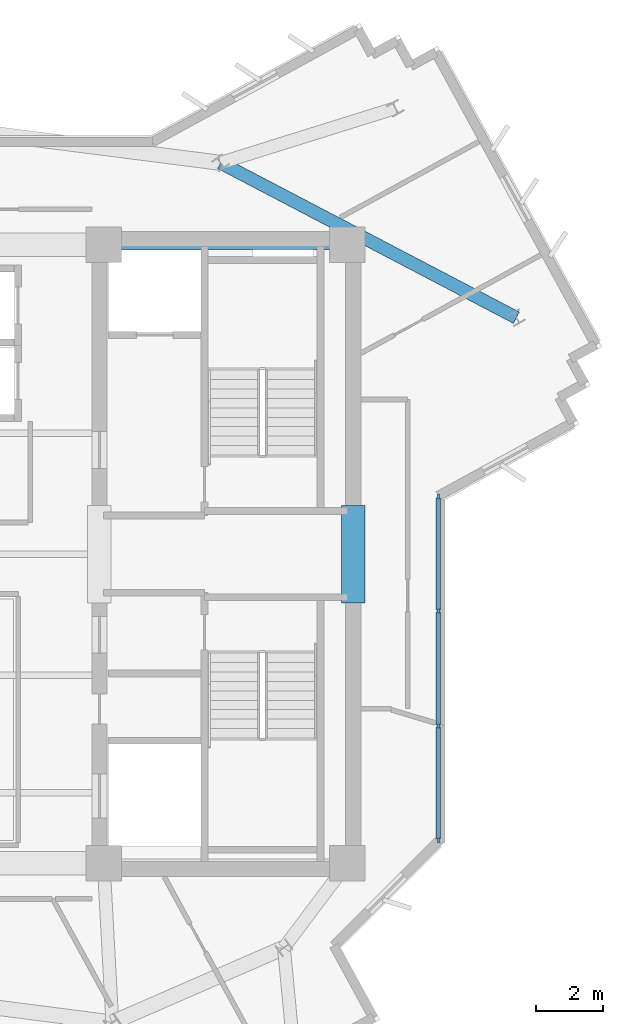
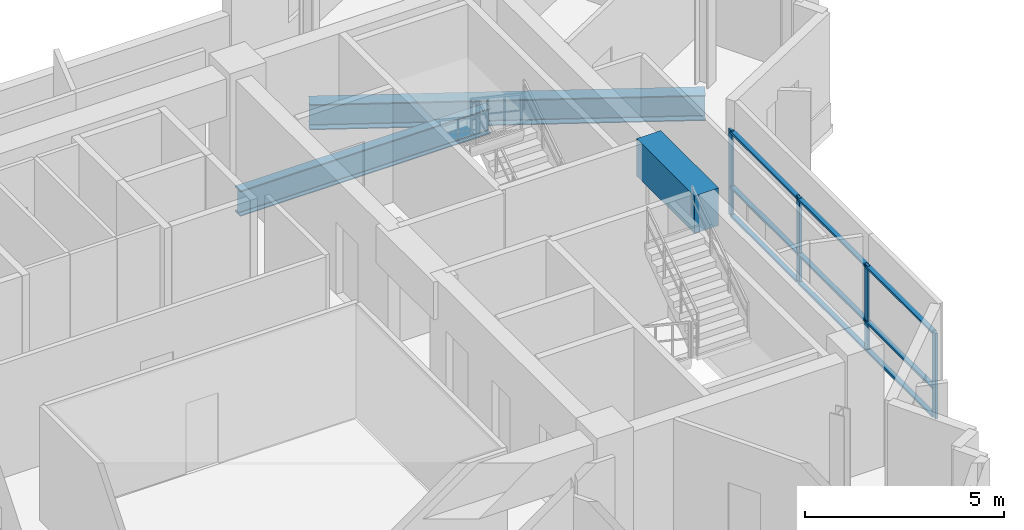
# One storey, part 3 of 13: 13 members, 3 beams, 1 element without a shape of its own.
"""IFC4 building model written with IfcOpenShell, lengths in metres."""

from ifc_helpers import new_model, si_unit, direction, frame, origin, origin_2d, place, context, subcontext, project, spatial, rectangle, i_section, extrude, source, transform, mapped, material, layer, layer_set, material_profile, profile_set, type_object, element, aggregate, save


model = new_model("IFC4")

# Units and contexts
model_context = context("Model", 3, precision=1e-05, world=origin(), true_north=direction((0.0, 1.0)))
body_context = subcontext(model_context, "Body", "Model", "MODEL_VIEW")
ifc_project = project(units=[si_unit("LENGTHUNIT", "METRE"), si_unit("AREAUNIT", "SQUARE_METRE"), si_unit("VOLUMEUNIT", "CUBIC_METRE"), si_unit("PLANEANGLEUNIT", "RADIAN"), si_unit("MASSUNIT", "GRAM", prefix="KILO")], contexts=[model_context])

# Site, building, storey
site_placement = place(None, origin())
site = spatial("IfcSite", under=ifc_project, at=site_placement, CompositionType="ELEMENT")
building_placement = place(site_placement, origin())
building = spatial("IfcBuilding", under=site, at=building_placement, Name="Zahravan Cultural Tower", CompositionType="ELEMENT")
storey_placement = place(building_placement, frame((0.0, 0.0, 250.35009765625)))
storey = spatial("IfcBuildingStorey", under=building, at=storey_placement, Name="L59", CompositionType="ELEMENT", Elevation=250.35009765625)

# Beams
ifc_material_1 = material(Name="Concrete C50/60", Category="concrete")
ifc_material_profile_1 = material_profile(ifc_material_1, rectangle(XDim=0.699951171875, YDim=1.14990234375, at=origin_2d()), Name="RC700X1150")
ifc_profile_set_1 = profile_set([ifc_material_profile_1], Name="Concrete C50/60")
beam_type_1 = type_object("IfcBeamType", Name="BM-LN-RC700X1150", PredefinedType="LINTEL", material=ifc_profile_set_1)
shared_shape_1 = source(origin(), body_context, "Body", "SweptSolid", [
    extrude(rectangle(XDim=0.699951171875, YDim=1.14990234375, at=origin_2d()), origin(), (0.0, 0.0, 1.0), 2.89990234375),
])
beam_1_placement = place(storey_placement, frame((50.52490234375, 25.550048828125, 2.9248046875), z_axis=(0.0, 1.0, 0.0), x_axis=(-1.0, 0.0, 0.0)))
element("IfcBeam", 1, at=beam_1_placement, inside=storey, type_object=beam_type_1, Name="L59 Beam LN-L59-PEE", PredefinedType="LINTEL", context=body_context, shape_type="MappedRepresentation", body=[
    mapped(shared_shape_1, transform((0.0, 0.0, 0.0), x_axis=(1.0, 0.0, 0.0), y_axis=(0.0, 1.0, 0.0), z_axis=(0.0, 0.0, 1.0), scale=1.0)),
])
ifc_material_2 = material(Name="Steel ASTM A992 Grade 50", Category="steel")
ifc_material_profile_2 = material_profile(ifc_material_2, i_section(OverallWidth=0.26611328125, OverallDepth=0.780029296875, WebThickness=0.0166015625, FlangeThickness=0.030029296875, FilletRadius=0.01904296875, at=origin_2d()), Name="W30X148")
ifc_profile_set_2 = profile_set([ifc_material_profile_2], Name="Steel ASTM A992 Grade 50")
beam_type_2 = type_object("IfcBeamType", Name="BM-G-W30X148", PredefinedType="BEAM", material=ifc_profile_set_2)
shared_shape_2 = source(origin(), body_context, "Body", "SweptSolid", [
    extrude(i_section(OverallWidth=0.26611328125, OverallDepth=0.780029296875, WebThickness=0.0166015625, FlangeThickness=0.030029296875, FilletRadius=0.01904296875, at=origin_2d()), origin(), (0.0, 0.0, 1.0), 7.25),
])
beam_2_placement = place(storey_placement, frame((43.10009765625, 36.199951171875, -0.64013671875), z_axis=(1.0, 0.0, 0.0), x_axis=(0.0, 1.0, 0.0)))
element("IfcBeam", 2, at=beam_2_placement, inside=storey, type_object=beam_type_2, Name="L59 Beam BG-L59-05", PredefinedType="BEAM", context=body_context, shape_type="MappedRepresentation", body=[
    mapped(shared_shape_2, transform((0.0, 0.0, 0.0), x_axis=(1.0, 0.0, 0.0), y_axis=(0.0, 1.0, 0.0), z_axis=(0.0, 0.0, 1.0), scale=1.0)),
])
ifc_material_profile_3 = material_profile(ifc_material_2, i_section(OverallWidth=0.382080078125, OverallDepth=0.779052734375, WebThickness=0.01806640625, FlangeThickness=0.030029296875, FilletRadius=0.01904296875, at=origin_2d()), Name="W30X191")
ifc_profile_set_3 = profile_set([ifc_material_profile_3], Name="Steel ASTM A992 Grade 50")
beam_type_3 = type_object("IfcBeamType", Name="BM-G-W30X191", PredefinedType="BEAM", material=ifc_profile_set_3)
shared_shape_3 = source(origin(), body_context, "Body", "SweptSolid", [
    extrude(i_section(OverallWidth=0.382080078125, OverallDepth=0.779052734375, WebThickness=0.01806640625, FlangeThickness=0.030029296875, FilletRadius=0.01904296875, at=origin_2d()), origin(), (0.0, 0.0, 1.0), 9.935791015625),
])
beam_3_placement = place(storey_placement, frame((46.577880859375, 38.640625, -0.6396484375), z_axis=(0.885932031042, -0.463815088558, 0.0), x_axis=(0.463815088558, 0.885932031042, 0.0)))
element("IfcBeam", 3, at=beam_3_placement, inside=storey, type_object=beam_type_3, Name="L59 Beam BG-L59-12", PredefinedType="BEAM", context=body_context, shape_type="MappedRepresentation", body=[
    mapped(shared_shape_3, transform((0.0, 0.0, 0.0), x_axis=(1.0, 0.0, 0.0), y_axis=(0.0, 1.0, 0.0), z_axis=(0.0, 0.0, 1.0), scale=1.0)),
])

# Curtain wall, members
ifc_material_3 = material(Name="Anodised bronze-aluminium mullion", Category="aluminium")
ifc_layer = layer(ifc_material_3, 0.1650390625)
ifc_layer_set = layer_set([ifc_layer], Name="Anodised bronze-aluminium mullion")
curtain_wall_type = type_object("IfcCurtainWallType", Name="CW-SYS-4", PredefinedType="USERDEFINED", material=ifc_layer_set)
curtain_wall_placement = place(storey_placement, origin())
curtain_wall = element("IfcCurtainWall", 4, at=curtain_wall_placement, inside=storey, type_object=curtain_wall_type, Name="L59 Recessed Curtain Wall CW-4.1", ObjectType="RECESSED GLAZING", PredefinedType="USERDEFINED")
ifc_material_profile_4 = material_profile(ifc_material_3, rectangle(XDim=0.06494140625, YDim=0.1650390625, at=origin_2d()), Name="AL-M65X165")
ifc_profile_set_4 = profile_set([ifc_material_profile_4], Name="Anodised bronze-aluminium mullion")
member_type_1 = type_object("IfcMemberType", Name="CWM-CW-4", PredefinedType="MULLION", material=ifc_profile_set_4)
shared_shape_4 = source(origin(), body_context, "Body", "SweptSolid", [
    extrude(rectangle(XDim=0.06494140625, YDim=0.1650390625, at=origin_2d()), origin(), (0.0, 0.0, 1.0), 2.619873046875),
])
member_1_placement = place(storey_placement, frame((53.06005859375, 28.698974609375, 0.0), z_axis=(0.0, 0.0, 1.0), x_axis=(1.0, 0.0, 0.0)))
member_1 = element("IfcMember", 5, at=member_1_placement, type_object=member_type_1, Name="CW-4 mullion 1", PredefinedType="MULLION", context=body_context, shape_type="MappedRepresentation", body=[
    mapped(shared_shape_4, transform((0.0, 0.0, 0.0), x_axis=(1.0, 0.0, 0.0), y_axis=(0.0, 1.0, 0.0), z_axis=(0.0, 0.0, 1.0), scale=1.0)),
])
member_2_placement = place(storey_placement, frame((53.06005859375, 25.306884765625, 0.0), z_axis=(0.0, 0.0, 1.0), x_axis=(1.0, 0.0, 0.0)))
member_2 = element("IfcMember", 6, at=member_2_placement, type_object=member_type_1, Name="CW-4 mullion 2", PredefinedType="MULLION", context=body_context, shape_type="MappedRepresentation", body=[
    mapped(shared_shape_4, transform((0.0, 0.0, 0.0), x_axis=(1.0, 0.0, 0.0), y_axis=(0.0, 1.0, 0.0), z_axis=(0.0, 0.0, 1.0), scale=1.0)),
])
member_3_placement = place(storey_placement, frame((53.06005859375, 21.882568359375, 0.0), z_axis=(0.0, 0.0, 1.0), x_axis=(1.0, 0.0, 0.0)))
member_3 = element("IfcMember", 7, at=member_3_placement, type_object=member_type_1, Name="CW-4 mullion 3", PredefinedType="MULLION", context=body_context, shape_type="MappedRepresentation", body=[
    mapped(shared_shape_4, transform((0.0, 0.0, 0.0), x_axis=(1.0, 0.0, 0.0), y_axis=(0.0, 1.0, 0.0), z_axis=(0.0, 0.0, 1.0), scale=1.0)),
])
member_4_placement = place(storey_placement, frame((53.06005859375, 18.490478515625, 0.0), z_axis=(0.0, 0.0, 1.0), x_axis=(1.0, 0.0, 0.0)))
member_4 = element("IfcMember", 8, at=member_4_placement, type_object=member_type_1, Name="CW-4 mullion 4", PredefinedType="MULLION", context=body_context, shape_type="MappedRepresentation", body=[
    mapped(shared_shape_4, transform((0.0, 0.0, 0.0), x_axis=(1.0, 0.0, 0.0), y_axis=(0.0, 1.0, 0.0), z_axis=(0.0, 0.0, 1.0), scale=1.0)),
])
ifc_material_profile_5 = material_profile(ifc_material_3, rectangle(XDim=0.1298828125, YDim=0.06494140625, at=origin_2d()), Name="AL-T65X130")
ifc_profile_set_5 = profile_set([ifc_material_profile_5], Name="Anodised bronze-aluminium mullion")
member_type_2 = type_object("IfcMemberType", Name="CWT-CW-4", PredefinedType="USERDEFINED", material=ifc_profile_set_5)
shared_shape_5 = source(origin(), body_context, "Body", "SweptSolid", [
    extrude(rectangle(XDim=0.1298828125, YDim=0.06494140625, at=origin_2d()), origin(), (0.0, 0.0, 1.0), 3.326904296875),
])
member_5_placement = place(storey_placement, frame((53.06005859375, 28.66650390625, 0.032470703125), z_axis=(0.0, -1.0, 0.0), x_axis=(1.0, 0.0, 0.0)))
member_5 = element("IfcMember", 9, at=member_5_placement, type_object=member_type_2, Name="CW-4 transom 1.1", ObjectType="TRANSOM", PredefinedType="USERDEFINED", context=body_context, shape_type="MappedRepresentation", body=[
    mapped(shared_shape_5, transform((0.0, 0.0, 0.0), x_axis=(1.0, 0.0, 0.0), y_axis=(0.0, 1.0, 0.0), z_axis=(0.0, 0.0, 1.0), scale=1.0)),
])
member_6_placement = place(storey_placement, frame((53.06005859375, 28.66650390625, 0.89990234375), z_axis=(0.0, -1.0, 0.0), x_axis=(1.0, 0.0, 0.0)))
member_6 = element("IfcMember", 10, at=member_6_placement, type_object=member_type_2, Name="CW-4 transom 1.2", ObjectType="TRANSOM", PredefinedType="USERDEFINED", context=body_context, shape_type="MappedRepresentation", body=[
    mapped(shared_shape_5, transform((0.0, 0.0, 0.0), x_axis=(1.0, 0.0, 0.0), y_axis=(0.0, 1.0, 0.0), z_axis=(0.0, 0.0, 1.0), scale=1.0)),
])
member_7_placement = place(storey_placement, frame((53.06005859375, 28.66650390625, 2.58740234375), z_axis=(0.0, -1.0, 0.0), x_axis=(1.0, 0.0, 0.0)))
member_7 = element("IfcMember", 11, at=member_7_placement, type_object=member_type_2, Name="CW-4 transom 1.3", ObjectType="TRANSOM", PredefinedType="USERDEFINED", context=body_context, shape_type="MappedRepresentation", body=[
    mapped(shared_shape_5, transform((0.0, 0.0, 0.0), x_axis=(1.0, 0.0, 0.0), y_axis=(0.0, 1.0, 0.0), z_axis=(0.0, 0.0, 1.0), scale=1.0)),
])
shared_shape_6 = source(origin(), body_context, "Body", "SweptSolid", [
    extrude(rectangle(XDim=0.1298828125, YDim=0.06494140625, at=origin_2d()), origin(), (0.0, 0.0, 1.0), 3.359375),
])
member_8_placement = place(storey_placement, frame((53.06005859375, 25.2744140625, 0.032470703125), z_axis=(0.0, -1.0, 0.0), x_axis=(1.0, 0.0, 0.0)))
member_8 = element("IfcMember", 12, at=member_8_placement, type_object=member_type_2, Name="CW-4 transom 2.1", ObjectType="TRANSOM", PredefinedType="USERDEFINED", context=body_context, shape_type="MappedRepresentation", body=[
    mapped(shared_shape_6, transform((0.0, 0.0, 0.0), x_axis=(1.0, 0.0, 0.0), y_axis=(0.0, 1.0, 0.0), z_axis=(0.0, 0.0, 1.0), scale=1.0)),
])
member_9_placement = place(storey_placement, frame((53.06005859375, 25.2744140625, 0.89990234375), z_axis=(0.0, -1.0, 0.0), x_axis=(1.0, 0.0, 0.0)))
member_9 = element("IfcMember", 13, at=member_9_placement, type_object=member_type_2, Name="CW-4 transom 2.2", ObjectType="TRANSOM", PredefinedType="USERDEFINED", context=body_context, shape_type="MappedRepresentation", body=[
    mapped(shared_shape_6, transform((0.0, 0.0, 0.0), x_axis=(1.0, 0.0, 0.0), y_axis=(0.0, 1.0, 0.0), z_axis=(0.0, 0.0, 1.0), scale=1.0)),
])
member_10_placement = place(storey_placement, frame((53.06005859375, 25.2744140625, 2.58740234375), z_axis=(0.0, -1.0, 0.0), x_axis=(1.0, 0.0, 0.0)))
member_10 = element("IfcMember", 14, at=member_10_placement, type_object=member_type_2, Name="CW-4 transom 2.3", ObjectType="TRANSOM", PredefinedType="USERDEFINED", context=body_context, shape_type="MappedRepresentation", body=[
    mapped(shared_shape_6, transform((0.0, 0.0, 0.0), x_axis=(1.0, 0.0, 0.0), y_axis=(0.0, 1.0, 0.0), z_axis=(0.0, 0.0, 1.0), scale=1.0)),
])
shared_shape_7 = source(origin(), body_context, "Body", "SweptSolid", [
    extrude(rectangle(XDim=0.1298828125, YDim=0.06494140625, at=origin_2d()), origin(), (0.0, 0.0, 1.0), 3.3271484375),
])
member_11_placement = place(storey_placement, frame((53.06005859375, 21.85009765625, 0.032470703125), z_axis=(0.0, -1.0, 0.0), x_axis=(1.0, 0.0, 0.0)))
member_11 = element("IfcMember", 15, at=member_11_placement, type_object=member_type_2, Name="CW-4 transom 3.1", ObjectType="TRANSOM", PredefinedType="USERDEFINED", context=body_context, shape_type="MappedRepresentation", body=[
    mapped(shared_shape_7, transform((0.0, 0.0, 0.0), x_axis=(1.0, 0.0, 0.0), y_axis=(0.0, 1.0, 0.0), z_axis=(0.0, 0.0, 1.0), scale=1.0)),
])
member_12_placement = place(storey_placement, frame((53.06005859375, 21.85009765625, 0.89990234375), z_axis=(0.0, -1.0, 0.0), x_axis=(1.0, 0.0, 0.0)))
member_12 = element("IfcMember", 16, at=member_12_placement, type_object=member_type_2, Name="CW-4 transom 3.2", ObjectType="TRANSOM", PredefinedType="USERDEFINED", context=body_context, shape_type="MappedRepresentation", body=[
    mapped(shared_shape_7, transform((0.0, 0.0, 0.0), x_axis=(1.0, 0.0, 0.0), y_axis=(0.0, 1.0, 0.0), z_axis=(0.0, 0.0, 1.0), scale=1.0)),
])
member_13_placement = place(storey_placement, frame((53.06005859375, 21.85009765625, 2.58740234375), z_axis=(0.0, -1.0, 0.0), x_axis=(1.0, 0.0, 0.0)))
member_13 = element("IfcMember", 17, at=member_13_placement, type_object=member_type_2, Name="CW-4 transom 3.3", ObjectType="TRANSOM", PredefinedType="USERDEFINED", context=body_context, shape_type="MappedRepresentation", body=[
    mapped(shared_shape_7, transform((0.0, 0.0, 0.0), x_axis=(1.0, 0.0, 0.0), y_axis=(0.0, 1.0, 0.0), z_axis=(0.0, 0.0, 1.0), scale=1.0)),
])
aggregate(curtain_wall, [member_1, member_2, member_3, member_4, member_5, member_6, member_7, member_8, member_9, member_10, member_11, member_12, member_13])

save(model, "model.ifc")
